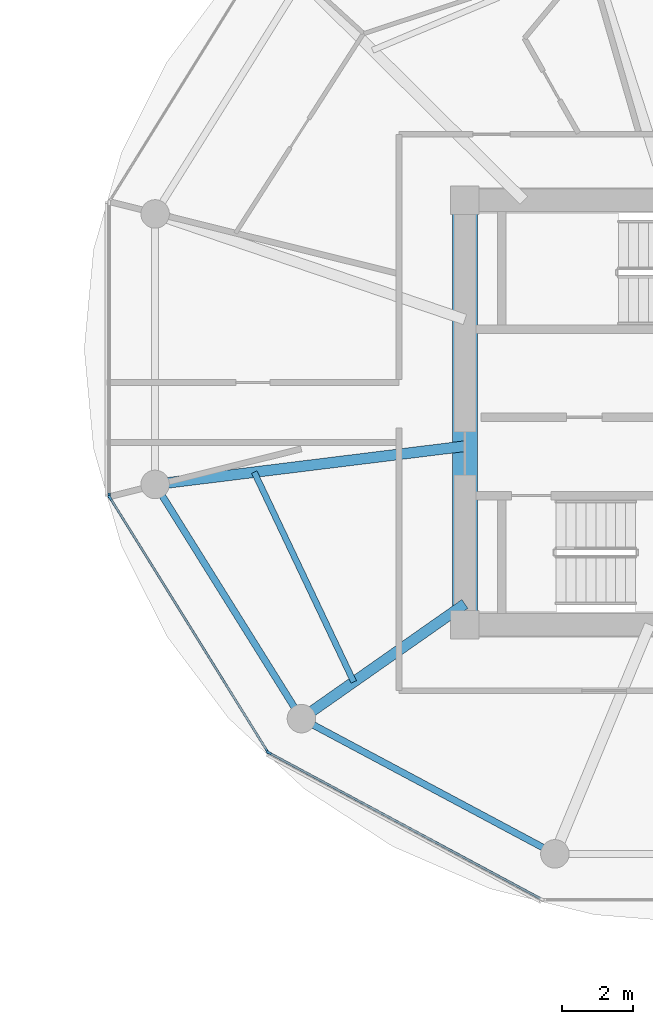
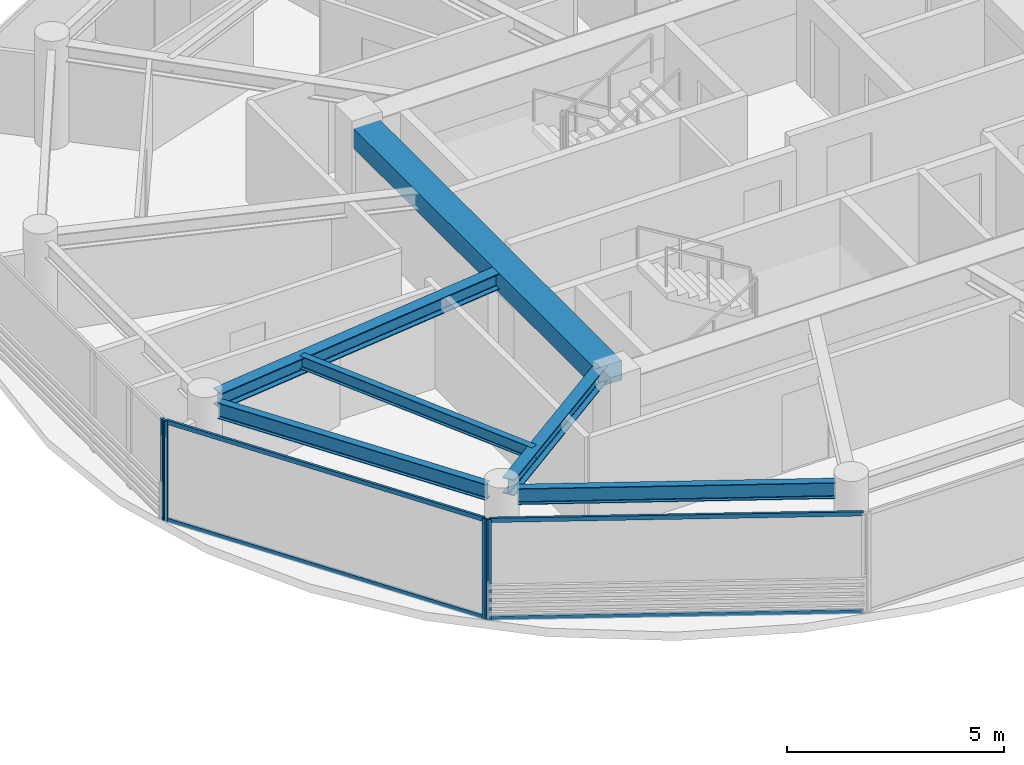
# One storey, part 6 of 23: 8 members, 6 beams, 3 elements without a shape of their own.
"""IFC4 building model written with IfcOpenShell, lengths in metres."""

from ifc_helpers import new_model, si_unit, direction, frame, origin, origin_2d, place, context, subcontext, project, spatial, rectangle, i_section, extrude, source, transform, mapped, material, layer, layer_set, material_profile, profile_set, type_object, type_shapes, element, aggregate, save


model = new_model("IFC4")

# Units and contexts
model_context = context("Model", 3, precision=1e-05, world=origin(), true_north=direction((0.0, 1.0)))
body_context = subcontext(model_context, "Body", "Model", "MODEL_VIEW")
ifc_project = project(units=[si_unit("LENGTHUNIT", "METRE"), si_unit("AREAUNIT", "SQUARE_METRE"), si_unit("VOLUMEUNIT", "CUBIC_METRE"), si_unit("PLANEANGLEUNIT", "RADIAN"), si_unit("MASSUNIT", "GRAM", prefix="KILO")], contexts=[model_context])

# Site, building, storey
site_placement = place(None, origin())
site = spatial("IfcSite", under=ifc_project, at=site_placement, CompositionType="ELEMENT")
building_placement = place(site_placement, origin())
building = spatial("IfcBuilding", under=site, at=building_placement, Name="Norrkilde Senior Care Towers", CompositionType="ELEMENT")
storey_placement = place(building_placement, frame((0.0, 0.0, 158.699951171875)))
storey = spatial("IfcBuildingStorey", under=building, at=storey_placement, Name="L49", CompositionType="ELEMENT", Elevation=158.699951171875)

# Beams
ifc_material_1 = material(Name="Concrete C60/75", Category="concrete")
ifc_material_profile_1 = material_profile(ifc_material_1, rectangle(XDim=0.699951171875, YDim=0.550048828125, at=origin_2d()), Name="RC BM 700x550")
ifc_profile_set_1 = profile_set([ifc_material_profile_1], Name="Concrete C60/75")
beam_type_1 = type_object("IfcBeamType", Name="Core Portal Coupling Beam 700x550", PredefinedType="USERDEFINED", material=ifc_profile_set_1)
shared_shape_1 = source(origin(), body_context, "Body", "SweptSolid", [
    extrude(rectangle(XDim=0.699951171875, YDim=0.550048828125, at=origin_2d()), origin(), (0.0, 0.0, 1.0), 11.14013671875),
])
type_shapes(beam_type_1, [shared_shape_1])
beam_1_placement = place(storey_placement, frame((20.35009765625, -5.570068359375, 2.53515625), z_axis=(0.0, 1.0, 0.0), x_axis=(-1.0, 0.0, 0.0)))
element("IfcBeam", 1, at=beam_1_placement, inside=storey, type_object=beam_type_1, Name="L49 Core E W Coupling Girder", ObjectType="GIRDER", PredefinedType="USERDEFINED", context=body_context, shape_type="MappedRepresentation", body=[
    mapped(shared_shape_1, transform((0.0, 0.0, 0.0), x_axis=(1.0, 0.0, 0.0), y_axis=(0.0, 1.0, 0.0), z_axis=(0.0, 0.0, 1.0), scale=1.0)),
])
ifc_material_2 = material(Name="Steel S355", Category="steel")
ifc_material_profile_2 = material_profile(ifc_material_2, i_section(OverallWidth=0.18994140625, OverallDepth=0.449951171875, WebThickness=0.009521484375, FlangeThickness=0.0146484375, FilletRadius=0.02099609375, at=origin_2d()), Name="IPE 450")
ifc_profile_set_2 = profile_set([ifc_material_profile_2], Name="Steel S355")
beam_type_2 = type_object("IfcBeamType", Name="Perimeter Ring Spandrel Z3 IPE450", PredefinedType="SPANDREL", material=ifc_profile_set_2)
shared_shape_2 = source(origin(), body_context, "Body", "SweptSolid", [
    extrude(i_section(OverallWidth=0.18994140625, OverallDepth=0.449951171875, WebThickness=0.009521484375, FlangeThickness=0.0146484375, FilletRadius=0.02099609375, at=origin_2d()), origin(), (0.0, 0.0, 1.0), 7.023193359375),
])
beam_2_placement = place(storey_placement, frame((11.855712890625, -2.32177734375, 2.5849609375), z_axis=(0.529805197269, -0.848119362441, 0.0), x_axis=(0.848119362441, 0.529805197269, 0.0)))
element("IfcBeam", 2, at=beam_2_placement, inside=storey, type_object=beam_type_2, Name="L49 Drum E Perimeter Spandrel 07", PredefinedType="SPANDREL", context=body_context, shape_type="MappedRepresentation", body=[
    mapped(shared_shape_2, transform((0.0, 0.0, 0.0), x_axis=(1.0, 0.0, 0.0), y_axis=(0.0, 1.0, 0.0), z_axis=(0.0, 0.0, 1.0), scale=1.0)),
])
shared_shape_3 = source(origin(), body_context, "Body", "SweptSolid", [
    extrude(i_section(OverallWidth=0.18994140625, OverallDepth=0.449951171875, WebThickness=0.009521484375, FlangeThickness=0.0146484375, FilletRadius=0.02099609375, at=origin_2d()), origin(), (0.0, 0.0, 1.0), 7.333984375),
])
type_shapes(beam_type_2, [shared_shape_2, shared_shape_3])
beam_3_placement = place(storey_placement, frame((16.0849609375, -8.753173828125, 2.5849609375), z_axis=(0.882234038987, -0.470811109101, 0.0), x_axis=(0.470811109101, 0.882234038987, 0.0)))
element("IfcBeam", 3, at=beam_3_placement, inside=storey, type_object=beam_type_2, Name="L49 Drum E Perimeter Spandrel 08", PredefinedType="SPANDREL", context=body_context, shape_type="MappedRepresentation", body=[
    mapped(shared_shape_3, transform((0.0, 0.0, 0.0), x_axis=(1.0, 0.0, 0.0), y_axis=(0.0, 1.0, 0.0), z_axis=(0.0, 0.0, 1.0), scale=1.0)),
])
ifc_material_profile_3 = material_profile(ifc_material_2, i_section(OverallWidth=0.300048828125, OverallDepth=0.449951171875, WebThickness=0.013916015625, FlangeThickness=0.02587890625, FilletRadius=0.027099609375, at=origin_2d()), Name="HEB 450")
ifc_profile_set_3 = profile_set([ifc_material_profile_3], Name="Steel S355")
beam_type_3 = type_object("IfcBeamType", Name="Radial Floor Beam Z3 HEB450", PredefinedType="BEAM", material=ifc_profile_set_3)
shared_shape_4 = source(origin(), body_context, "Body", "SweptSolid", [
    extrude(i_section(OverallWidth=0.300048828125, OverallDepth=0.449951171875, WebThickness=0.013916015625, FlangeThickness=0.02587890625, FilletRadius=0.027099609375, at=origin_2d()), origin(), (0.0, 0.0, 1.0), 5.23828125),
])
beam_4_placement = place(storey_placement, frame((20.35009765625, -5.3681640625, 2.5849609375), z_axis=(-0.818592061291, -0.574375345215, 0.0), x_axis=(0.574375345215, -0.818592061291, 0.0)))
element("IfcBeam", 4, at=beam_4_placement, inside=storey, type_object=beam_type_3, Name="L49 Drum E Radial Floor Beam 08", PredefinedType="BEAM", context=body_context, shape_type="MappedRepresentation", body=[
    mapped(shared_shape_4, transform((0.0, 0.0, 0.0), x_axis=(1.0, 0.0, 0.0), y_axis=(0.0, 1.0, 0.0), z_axis=(0.0, 0.0, 1.0), scale=1.0)),
])
shared_shape_5 = source(origin(), body_context, "Body", "SweptSolid", [
    extrude(i_section(OverallWidth=0.300048828125, OverallDepth=0.449951171875, WebThickness=0.013916015625, FlangeThickness=0.02587890625, FilletRadius=0.027099609375, at=origin_2d()), origin(), (0.0, 0.0, 1.0), 8.390869140625),
])
type_shapes(beam_type_3, [shared_shape_4, shared_shape_5])
beam_5_placement = place(storey_placement, frame((20.35009765625, -0.9443359375, 2.5849609375), z_axis=(-0.99246916403, -0.122494728249, 0.0), x_axis=(0.122494728249, -0.99246916403, 0.0)))
element("IfcBeam", 5, at=beam_5_placement, inside=storey, type_object=beam_type_3, Name="L49 Drum E Radial Floor Beam 07", PredefinedType="BEAM", context=body_context, shape_type="MappedRepresentation", body=[
    mapped(shared_shape_5, transform((0.0, 0.0, 0.0), x_axis=(1.0, 0.0, 0.0), y_axis=(0.0, 1.0, 0.0), z_axis=(0.0, 0.0, 1.0), scale=1.0)),
])
ifc_material_profile_4 = material_profile(ifc_material_2, i_section(OverallWidth=0.169921875, OverallDepth=0.360107421875, WebThickness=0.008056640625, FlangeThickness=0.0126953125, FilletRadius=0.01806640625, at=origin_2d()), Name="IPE 360")
ifc_profile_set_4 = profile_set([ifc_material_profile_4], Name="Steel S355")
beam_type_4 = type_object("IfcBeamType", Name="Secondary Floor Joist IPE360", PredefinedType="JOIST", material=ifc_profile_set_4)
shared_shape_6 = source(origin(), body_context, "Body", "SweptSolid", [
    extrude(i_section(OverallWidth=0.169921875, OverallDepth=0.360107421875, WebThickness=0.008056640625, FlangeThickness=0.0126953125, FilletRadius=0.01806640625, at=origin_2d()), origin(), (0.0, 0.0, 1.0), 6.50927734375),
])
type_shapes(beam_type_4, [shared_shape_6])
beam_6_placement = place(storey_placement, frame((14.4443359375, -1.67333984375, 2.630126953125), z_axis=(0.428544169129, -0.90352083269, 0.0), x_axis=(0.90352083269, 0.428544169129, 0.0)))
element("IfcBeam", 6, at=beam_6_placement, inside=storey, type_object=beam_type_4, Name="L49 Drum E Secondary Floor Joist 3", PredefinedType="JOIST", context=body_context, shape_type="MappedRepresentation", body=[
    mapped(shared_shape_6, transform((0.0, 0.0, 0.0), x_axis=(1.0, 0.0, 0.0), y_axis=(0.0, 1.0, 0.0), z_axis=(0.0, 0.0, 1.0), scale=1.0)),
])

# Curtain wall, member
ifc_material_3 = material(Name="Triple Low-E Insulated Glazing", Category="glass")
ifc_layer = layer(ifc_material_3, 0.18994140625)
ifc_layer_set = layer_set([ifc_layer], Name="Triple Low-E Insulated Glazing")
curtain_wall_type = type_object("IfcCurtainWallType", Name="CW4 Zone 3 Senior Residence Curtain Wall", PredefinedType="NOTDEFINED", material=ifc_layer_set)
curtain_wall_1_placement = place(storey_placement, origin())
curtain_wall_1 = element("IfcCurtainWall", 7, at=curtain_wall_1_placement, inside=storey, type_object=curtain_wall_type, Name="L49 Drum E Curtain Wall 05", PredefinedType="NOTDEFINED")
ifc_material_4 = material(Name="Anodised Aluminium", Category="aluminium")
ifc_material_profile_5 = material_profile(ifc_material_4, rectangle(XDim=0.06494140625, YDim=0.14990234375, at=origin_2d()), Name="ALU MULL 65x150")
ifc_profile_set_5 = profile_set([ifc_material_profile_5], Name="Anodised Aluminium")
member_type_1 = type_object("IfcMemberType", Name="Curtain Wall Mullion Z3-Z4 65x150", PredefinedType="MULLION", material=ifc_profile_set_5)
shared_shape_7 = source(origin(), body_context, "Body", "SweptSolid", [
    extrude(rectangle(XDim=0.06494140625, YDim=0.14990234375, at=origin_2d()), origin(), (0.0, 0.0, 1.0), 2.81005859375),
])
type_shapes(member_type_1, [shared_shape_7])
member_1_placement = place(storey_placement, frame((10.38037109375, -2.328125, 0.0), z_axis=(0.0, 0.0, 1.0), x_axis=(-1.0, 0.0, 0.0)))
member_1 = element("IfcMember", 8, at=member_1_placement, type_object=member_type_1, Name="CW-4 mullion 1", PredefinedType="MULLION", context=body_context, shape_type="MappedRepresentation", body=[
    mapped(shared_shape_7, transform((0.0, 0.0, 0.0), x_axis=(1.0, 0.0, 0.0), y_axis=(0.0, 1.0, 0.0), z_axis=(0.0, 0.0, 1.0), scale=1.0)),
])
aggregate(curtain_wall_1, [member_1])

# Curtain wall, members
curtain_wall_2_placement = place(storey_placement, origin())
curtain_wall_2 = element("IfcCurtainWall", 9, at=curtain_wall_2_placement, inside=storey, type_object=curtain_wall_type, Name="L49 Drum E Curtain Wall 06", PredefinedType="NOTDEFINED")
member_2_placement = place(storey_placement, frame((14.809814453125, -9.49658203125, 0.0), z_axis=(0.0, 0.0, 1.0), x_axis=(-0.84963405474, -0.52737270789, 0.0)))
member_2 = element("IfcMember", 10, at=member_2_placement, type_object=member_type_1, Name="CW-4 mullion 1", PredefinedType="MULLION", context=body_context, shape_type="MappedRepresentation", body=[
    mapped(shared_shape_7, transform((0.0, 0.0, 0.0), x_axis=(1.0, 0.0, 0.0), y_axis=(0.0, 1.0, 0.0), z_axis=(0.0, 0.0, 1.0), scale=1.0)),
])
member_3_placement = place(storey_placement, frame((10.3974609375, -2.38818359375, 0.0), z_axis=(0.0, 0.0, 1.0), x_axis=(-0.84963405474, -0.52737270789, 0.0)))
member_3 = element("IfcMember", 11, at=member_3_placement, type_object=member_type_1, Name="CW-4 mullion 2", PredefinedType="MULLION", context=body_context, shape_type="MappedRepresentation", body=[
    mapped(shared_shape_7, transform((0.0, 0.0, 0.0), x_axis=(1.0, 0.0, 0.0), y_axis=(0.0, 1.0, 0.0), z_axis=(0.0, 0.0, 1.0), scale=1.0)),
])

# Curtain wall, member
curtain_wall_3_placement = place(storey_placement, origin())
curtain_wall_3 = element("IfcCurtainWall", 12, at=curtain_wall_3_placement, inside=storey, type_object=curtain_wall_type, Name="L49 Drum E Curtain Wall 07", PredefinedType="NOTDEFINED")
member_4_placement = place(storey_placement, frame((14.85546875, -9.53955078125, 0.0), z_axis=(0.0, 0.0, 1.0), x_axis=(-0.47311715104, -0.880999524059, 0.0)))
member_4 = element("IfcMember", 13, at=member_4_placement, type_object=member_type_1, Name="CW-4 mullion 2", PredefinedType="MULLION", context=body_context, shape_type="MappedRepresentation", body=[
    mapped(shared_shape_7, transform((0.0, 0.0, 0.0), x_axis=(1.0, 0.0, 0.0), y_axis=(0.0, 1.0, 0.0), z_axis=(0.0, 0.0, 1.0), scale=1.0)),
])

# Member
ifc_material_profile_6 = material_profile(ifc_material_4, rectangle(XDim=0.06005859375, YDim=0.1201171875, at=origin_2d()), Name="ALU TRAN 60x120")
ifc_profile_set_6 = profile_set([ifc_material_profile_6], Name="Anodised Aluminium")
member_type_2 = type_object("IfcMemberType", Name="Curtain Wall Transom Typical 60x120", PredefinedType="USERDEFINED", material=ifc_profile_set_6)
shared_shape_8 = source(origin(), body_context, "Body", "SweptSolid", [
    extrude(rectangle(XDim=0.06005859375, YDim=0.1201171875, at=origin_2d()), origin(), (0.0, 0.0, 1.0), 8.301513671875),
])
member_5_placement = place(storey_placement, frame((14.792724609375, -9.468994140625, 0.030029296875), z_axis=(-0.527368718394, 0.849636531029, 0.0), x_axis=(-0.849636531029, -0.527368718394, 0.0)))
member_5 = element("IfcMember", 14, at=member_5_placement, type_object=member_type_2, Name="CW-4 transom 1.1", ObjectType="TRANSOM", PredefinedType="USERDEFINED", context=body_context, shape_type="MappedRepresentation", body=[
    mapped(shared_shape_8, transform((0.0, 0.0, 0.0), x_axis=(1.0, 0.0, 0.0), y_axis=(0.0, 1.0, 0.0), z_axis=(0.0, 0.0, 1.0), scale=1.0)),
])

member_6_placement = place(storey_placement, frame((14.792724609375, -9.468994140625, 2.780029296875), z_axis=(-0.527368718394, 0.849636531029, 0.0), x_axis=(-0.849636531029, -0.527368718394, 0.0)))
member_6 = element("IfcMember", 15, at=member_6_placement, type_object=member_type_2, Name="CW-4 transom 1.2", ObjectType="TRANSOM", PredefinedType="USERDEFINED", context=body_context, shape_type="MappedRepresentation", body=[
    mapped(shared_shape_8, transform((0.0, 0.0, 0.0), x_axis=(1.0, 0.0, 0.0), y_axis=(0.0, 1.0, 0.0), z_axis=(0.0, 0.0, 1.0), scale=1.0)),
])

aggregate(curtain_wall_2, [member_2, member_3, member_5, member_6])

shared_shape_9 = source(origin(), body_context, "Body", "SweptSolid", [
    extrude(rectangle(XDim=0.06005859375, YDim=0.1201171875, at=origin_2d()), origin(), (0.0, 0.0, 1.0), 8.61181640625),
])
type_shapes(member_type_2, [shared_shape_8, shared_shape_9])
member_7_placement = place(storey_placement, frame((22.47119140625, -13.62939453125, 0.030029296875), z_axis=(-0.880993991641, 0.473127452906, 0.0), x_axis=(-0.473127452906, -0.880993991641, 0.0)))
member_7 = element("IfcMember", 16, at=member_7_placement, type_object=member_type_2, Name="CW-4 transom 1.1", ObjectType="TRANSOM", PredefinedType="USERDEFINED", context=body_context, shape_type="MappedRepresentation", body=[
    mapped(shared_shape_9, transform((0.0, 0.0, 0.0), x_axis=(1.0, 0.0, 0.0), y_axis=(0.0, 1.0, 0.0), z_axis=(0.0, 0.0, 1.0), scale=1.0)),
])

member_8_placement = place(storey_placement, frame((22.47119140625, -13.62939453125, 2.780029296875), z_axis=(-0.880993991641, 0.473127452906, 0.0), x_axis=(-0.473127452906, -0.880993991641, 0.0)))
member_8 = element("IfcMember", 17, at=member_8_placement, type_object=member_type_2, Name="CW-4 transom 1.2", ObjectType="TRANSOM", PredefinedType="USERDEFINED", context=body_context, shape_type="MappedRepresentation", body=[
    mapped(shared_shape_9, transform((0.0, 0.0, 0.0), x_axis=(1.0, 0.0, 0.0), y_axis=(0.0, 1.0, 0.0), z_axis=(0.0, 0.0, 1.0), scale=1.0)),
])

aggregate(curtain_wall_3, [member_4, member_7, member_8])

save(model, "model.ifc")
